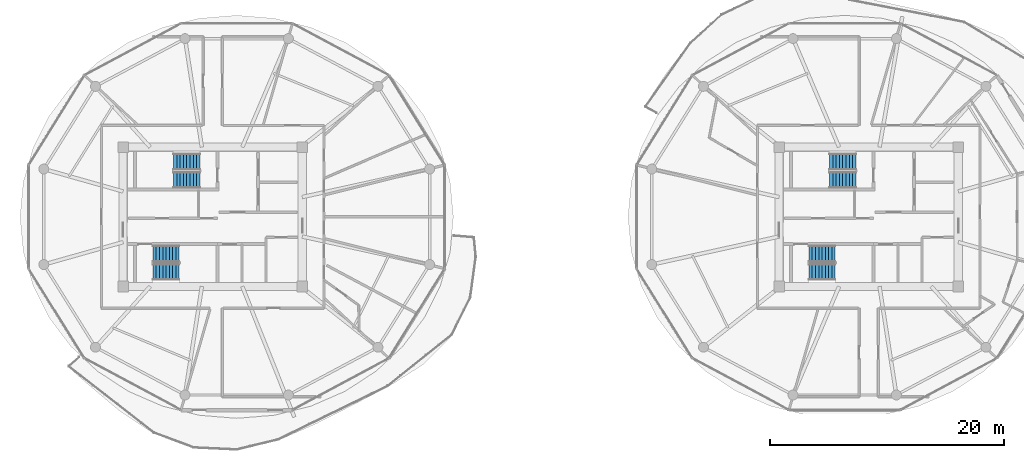
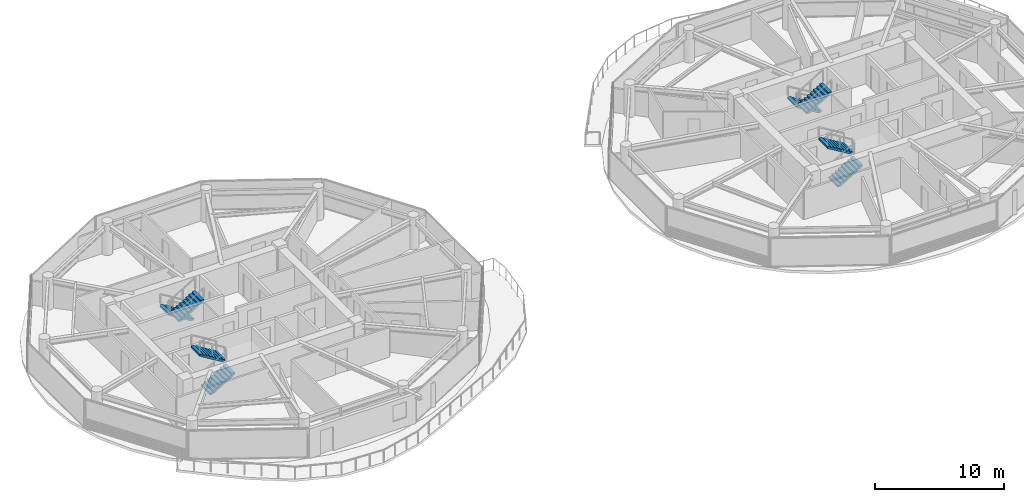
# One storey, part 18 of 24: 8 stair flights, 4 elements without a shape of their own.
"""IFC4 building model written with IfcOpenShell, lengths in metres."""

from ifc_helpers import new_model, si_unit, direction, frame, origin, place, context, subcontext, project, spatial, polyline, outline, extrude, material, type_object, element, aggregate, save


model = new_model("IFC4")

# Units and contexts
model_context = context("Model", 3, precision=1e-05, world=origin(), true_north=direction((0.0, 1.0)))
body_context = subcontext(model_context, "Body", "Model", "MODEL_VIEW")
ifc_project = project(units=[si_unit("LENGTHUNIT", "METRE"), si_unit("AREAUNIT", "SQUARE_METRE"), si_unit("VOLUMEUNIT", "CUBIC_METRE"), si_unit("PLANEANGLEUNIT", "RADIAN"), si_unit("MASSUNIT", "GRAM", prefix="KILO")], contexts=[model_context])

# Site, building, storey
site_placement = place(None, origin())
site = spatial("IfcSite", under=ifc_project, at=site_placement, CompositionType="ELEMENT")
building_placement = place(site_placement, origin())
building = spatial("IfcBuilding", under=site, at=building_placement, Name="Norrkilde Senior Care Towers", CompositionType="ELEMENT")
storey_placement = place(building_placement, frame((0.0, 0.0, 117.60009765625)))
storey = spatial("IfcBuildingStorey", under=building, at=storey_placement, Name="L36", CompositionType="ELEMENT", Elevation=117.60009765625)

# Stair, stair flights
ifc_material = material(Name="Concrete C45/55", Category="concrete")
stair_type = type_object("IfcStairType", Name="Core Protected Dogleg Stair Typical 3050", PredefinedType="HALF_TURN_STAIR", material=ifc_material)
stair_1_placement = place(storey_placement, origin())
stair_1 = element("IfcStair", 1, at=stair_1_placement, inside=storey, type_object=stair_type, Name="L36 Protected Core Stair W1", PredefinedType="HALF_TURN_STAIR")
stair_flight_type = type_object("IfcStairFlightType", Name="Core Protected Dogleg Stair Typical 3050 Flight", PredefinedType="STRAIGHT", material=ifc_material)
stair_flight_1_placement = place(storey_placement, frame((-29.10009765625, 4.699951171875, 0.0), z_axis=(0.0, 0.0, 1.0), x_axis=(-1.0, 0.0, 0.0)))
stair_flight_1 = element("IfcStairFlight", 2, at=stair_flight_1_placement, type_object=stair_flight_type, Name="ST-W1 flight 1", NumberOfRisers=9, NumberOfTreads=8, PredefinedType="STRAIGHT", RiserHeight=0.169444444, TreadLength=0.28, context=body_context, shape_type="SweptSolid", body=[
    extrude(outline(polyline([(0.0, 0.0), (0.0, 0.16943359375), (0.280029296875, 0.16943359375), (0.280029296875, 0.3388671875), (0.56005859375, 0.3388671875), (0.56005859375, 0.50830078125), (0.840087890625, 0.50830078125), (0.840087890625, 0.677734375), (1.1201171875, 0.677734375), (1.1201171875, 0.84716796875), (1.39990234375, 0.84716796875), (1.39990234375, 1.0166015625), (1.679931640625, 1.0166015625), (1.679931640625, 1.18603515625), (1.9599609375, 1.18603515625), (1.9599609375, 1.35546875), (2.239990234375, 1.35546875), (2.239990234375, 1.52490234375), (2.239990234375, 1.180419921875), (0.28955078125, 0.0), (0.0, 0.0)])), frame((0.0, 0.699951171875, 0.0), z_axis=(0.0, -1.0, 0.0), x_axis=(1.0, 0.0, 0.0)), (0.0, 0.0, 1.0), 1.39990234375),
])
stair_flight_2_placement = place(storey_placement, frame((-31.340087890625, 3.14990234375, 1.52490234375), z_axis=(0.0, 0.0, 1.0), x_axis=(1.0, 0.0, 0.0)))
stair_flight_2 = element("IfcStairFlight", 3, at=stair_flight_2_placement, type_object=stair_flight_type, Name="ST-W1 flight 2", NumberOfRisers=9, NumberOfTreads=8, PredefinedType="STRAIGHT", RiserHeight=0.169444444, TreadLength=0.28, context=body_context, shape_type="SweptSolid", body=[
    extrude(outline(polyline([(0.0, 0.0), (0.0, 0.16943359375), (0.280029296875, 0.16943359375), (0.280029296875, 0.3388671875), (0.56005859375, 0.3388671875), (0.56005859375, 0.50830078125), (0.840087890625, 0.50830078125), (0.840087890625, 0.677734375), (1.1201171875, 0.677734375), (1.1201171875, 0.84716796875), (1.39990234375, 0.84716796875), (1.39990234375, 1.0166015625), (1.679931640625, 1.0166015625), (1.679931640625, 1.18603515625), (1.9599609375, 1.18603515625), (1.9599609375, 1.35546875), (2.239990234375, 1.35546875), (2.239990234375, 1.52490234375), (2.239990234375, 1.180419921875), (0.28955078125, 0.0), (0.0, 0.0)])), frame((0.0, 0.699951171875, 0.0), z_axis=(0.0, -1.0, 0.0), x_axis=(1.0, 0.0, 0.0)), (0.0, 0.0, 1.0), 1.39990234375),
])
aggregate(stair_1, [stair_flight_1, stair_flight_2])

stair_2_placement = place(storey_placement, origin())
stair_2 = element("IfcStair", 4, at=stair_2_placement, inside=storey, type_object=stair_type, Name="L36 Protected Core Stair W2", PredefinedType="HALF_TURN_STAIR")
stair_flight_3_placement = place(storey_placement, frame((-33.10009765625, -4.699951171875, 0.0), z_axis=(0.0, 0.0, 1.0), x_axis=(1.0, 0.0, 0.0)))
stair_flight_3 = element("IfcStairFlight", 5, at=stair_flight_3_placement, type_object=stair_flight_type, Name="ST-W2 flight 1", NumberOfRisers=9, NumberOfTreads=8, PredefinedType="STRAIGHT", RiserHeight=0.169444444, TreadLength=0.28, context=body_context, shape_type="SweptSolid", body=[
    extrude(outline(polyline([(0.0, 0.0), (0.0, 0.16943359375), (0.280029296875, 0.16943359375), (0.280029296875, 0.3388671875), (0.56005859375, 0.3388671875), (0.56005859375, 0.50830078125), (0.840087890625, 0.50830078125), (0.840087890625, 0.677734375), (1.1201171875, 0.677734375), (1.1201171875, 0.84716796875), (1.39990234375, 0.84716796875), (1.39990234375, 1.0166015625), (1.679931640625, 1.0166015625), (1.679931640625, 1.18603515625), (1.9599609375, 1.18603515625), (1.9599609375, 1.35546875), (2.239990234375, 1.35546875), (2.239990234375, 1.52490234375), (2.239990234375, 1.180419921875), (0.28955078125, 0.0), (0.0, 0.0)])), frame((0.0, 0.699951171875, 0.0), z_axis=(0.0, -1.0, 0.0), x_axis=(1.0, 0.0, 0.0)), (0.0, 0.0, 1.0), 1.39990234375),
])
stair_flight_4_placement = place(storey_placement, frame((-30.860107421875, -3.14990234375, 1.52490234375), z_axis=(0.0, 0.0, 1.0), x_axis=(-1.0, 0.0, 0.0)))
stair_flight_4 = element("IfcStairFlight", 6, at=stair_flight_4_placement, type_object=stair_flight_type, Name="ST-W2 flight 2", NumberOfRisers=9, NumberOfTreads=8, PredefinedType="STRAIGHT", RiserHeight=0.169444444, TreadLength=0.28, context=body_context, shape_type="SweptSolid", body=[
    extrude(outline(polyline([(0.0, 0.0), (0.0, 0.16943359375), (0.280029296875, 0.16943359375), (0.280029296875, 0.3388671875), (0.56005859375, 0.3388671875), (0.56005859375, 0.50830078125), (0.840087890625, 0.50830078125), (0.840087890625, 0.677734375), (1.1201171875, 0.677734375), (1.1201171875, 0.84716796875), (1.39990234375, 0.84716796875), (1.39990234375, 1.0166015625), (1.679931640625, 1.0166015625), (1.679931640625, 1.18603515625), (1.9599609375, 1.18603515625), (1.9599609375, 1.35546875), (2.239990234375, 1.35546875), (2.239990234375, 1.52490234375), (2.239990234375, 1.180419921875), (0.28955078125, 0.0), (0.0, 0.0)])), frame((0.0, 0.699951171875, 0.0), z_axis=(0.0, -1.0, 0.0), x_axis=(1.0, 0.0, 0.0)), (0.0, 0.0, 1.0), 1.39990234375),
])
aggregate(stair_2, [stair_flight_3, stair_flight_4])

stair_3_placement = place(storey_placement, origin())
stair_3 = element("IfcStair", 7, at=stair_3_placement, inside=storey, type_object=stair_type, Name="L36 Protected Core Stair E1", PredefinedType="HALF_TURN_STAIR")
stair_flight_5_placement = place(storey_placement, frame((26.89990234375, 4.699951171875, 0.0), z_axis=(0.0, 0.0, 1.0), x_axis=(-1.0, 0.0, 0.0)))
stair_flight_5 = element("IfcStairFlight", 8, at=stair_flight_5_placement, type_object=stair_flight_type, Name="ST-E1 flight 1", NumberOfRisers=9, NumberOfTreads=8, PredefinedType="STRAIGHT", RiserHeight=0.169444444, TreadLength=0.28, context=body_context, shape_type="SweptSolid", body=[
    extrude(outline(polyline([(0.0, 0.0), (0.0, 0.16943359375), (0.280029296875, 0.16943359375), (0.280029296875, 0.3388671875), (0.56005859375, 0.3388671875), (0.56005859375, 0.50830078125), (0.840087890625, 0.50830078125), (0.840087890625, 0.677734375), (1.1201171875, 0.677734375), (1.1201171875, 0.84716796875), (1.39990234375, 0.84716796875), (1.39990234375, 1.0166015625), (1.679931640625, 1.0166015625), (1.679931640625, 1.18603515625), (1.9599609375, 1.18603515625), (1.9599609375, 1.35546875), (2.239990234375, 1.35546875), (2.239990234375, 1.52490234375), (2.239990234375, 1.180419921875), (0.28955078125, 0.0), (0.0, 0.0)])), frame((0.0, 0.699951171875, 0.0), z_axis=(0.0, -1.0, 0.0), x_axis=(1.0, 0.0, 0.0)), (0.0, 0.0, 1.0), 1.39990234375),
])
stair_flight_6_placement = place(storey_placement, frame((24.659912109375, 3.14990234375, 1.52490234375), z_axis=(0.0, 0.0, 1.0), x_axis=(1.0, 0.0, 0.0)))
stair_flight_6 = element("IfcStairFlight", 9, at=stair_flight_6_placement, type_object=stair_flight_type, Name="ST-E1 flight 2", NumberOfRisers=9, NumberOfTreads=8, PredefinedType="STRAIGHT", RiserHeight=0.169444444, TreadLength=0.28, context=body_context, shape_type="SweptSolid", body=[
    extrude(outline(polyline([(0.0, 0.0), (0.0, 0.16943359375), (0.280029296875, 0.16943359375), (0.280029296875, 0.3388671875), (0.56005859375, 0.3388671875), (0.56005859375, 0.50830078125), (0.840087890625, 0.50830078125), (0.840087890625, 0.677734375), (1.1201171875, 0.677734375), (1.1201171875, 0.84716796875), (1.39990234375, 0.84716796875), (1.39990234375, 1.0166015625), (1.679931640625, 1.0166015625), (1.679931640625, 1.18603515625), (1.9599609375, 1.18603515625), (1.9599609375, 1.35546875), (2.239990234375, 1.35546875), (2.239990234375, 1.52490234375), (2.239990234375, 1.180419921875), (0.28955078125, 0.0), (0.0, 0.0)])), frame((0.0, 0.699951171875, 0.0), z_axis=(0.0, -1.0, 0.0), x_axis=(1.0, 0.0, 0.0)), (0.0, 0.0, 1.0), 1.39990234375),
])
aggregate(stair_3, [stair_flight_5, stair_flight_6])

stair_4_placement = place(storey_placement, origin())
stair_4 = element("IfcStair", 10, at=stair_4_placement, inside=storey, type_object=stair_type, Name="L36 Protected Core Stair E2", PredefinedType="HALF_TURN_STAIR")
stair_flight_7_placement = place(storey_placement, frame((22.89990234375, -4.699951171875, 0.0), z_axis=(0.0, 0.0, 1.0), x_axis=(1.0, 0.0, 0.0)))
stair_flight_7 = element("IfcStairFlight", 11, at=stair_flight_7_placement, type_object=stair_flight_type, Name="ST-E2 flight 1", NumberOfRisers=9, NumberOfTreads=8, PredefinedType="STRAIGHT", RiserHeight=0.169444444, TreadLength=0.28, context=body_context, shape_type="SweptSolid", body=[
    extrude(outline(polyline([(0.0, 0.0), (0.0, 0.16943359375), (0.280029296875, 0.16943359375), (0.280029296875, 0.3388671875), (0.56005859375, 0.3388671875), (0.56005859375, 0.50830078125), (0.840087890625, 0.50830078125), (0.840087890625, 0.677734375), (1.1201171875, 0.677734375), (1.1201171875, 0.84716796875), (1.39990234375, 0.84716796875), (1.39990234375, 1.0166015625), (1.679931640625, 1.0166015625), (1.679931640625, 1.18603515625), (1.9599609375, 1.18603515625), (1.9599609375, 1.35546875), (2.239990234375, 1.35546875), (2.239990234375, 1.52490234375), (2.239990234375, 1.180419921875), (0.28955078125, 0.0), (0.0, 0.0)])), frame((0.0, 0.699951171875, 0.0), z_axis=(0.0, -1.0, 0.0), x_axis=(1.0, 0.0, 0.0)), (0.0, 0.0, 1.0), 1.39990234375),
])
stair_flight_8_placement = place(storey_placement, frame((25.139892578125, -3.14990234375, 1.52490234375), z_axis=(0.0, 0.0, 1.0), x_axis=(-1.0, 0.0, 0.0)))
stair_flight_8 = element("IfcStairFlight", 12, at=stair_flight_8_placement, type_object=stair_flight_type, Name="ST-E2 flight 2", NumberOfRisers=9, NumberOfTreads=8, PredefinedType="STRAIGHT", RiserHeight=0.169444444, TreadLength=0.28, context=body_context, shape_type="SweptSolid", body=[
    extrude(outline(polyline([(0.0, 0.0), (0.0, 0.16943359375), (0.280029296875, 0.16943359375), (0.280029296875, 0.3388671875), (0.56005859375, 0.3388671875), (0.56005859375, 0.50830078125), (0.840087890625, 0.50830078125), (0.840087890625, 0.677734375), (1.1201171875, 0.677734375), (1.1201171875, 0.84716796875), (1.39990234375, 0.84716796875), (1.39990234375, 1.0166015625), (1.679931640625, 1.0166015625), (1.679931640625, 1.18603515625), (1.9599609375, 1.18603515625), (1.9599609375, 1.35546875), (2.239990234375, 1.35546875), (2.239990234375, 1.52490234375), (2.239990234375, 1.180419921875), (0.28955078125, 0.0), (0.0, 0.0)])), frame((0.0, 0.699951171875, 0.0), z_axis=(0.0, -1.0, 0.0), x_axis=(1.0, 0.0, 0.0)), (0.0, 0.0, 1.0), 1.39990234375),
])
aggregate(stair_4, [stair_flight_7, stair_flight_8])

save(model, "model.ifc")
